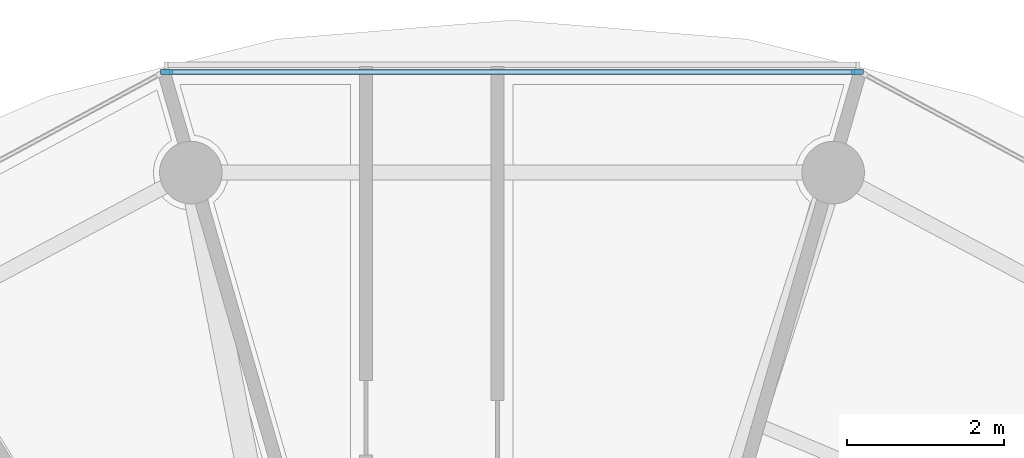
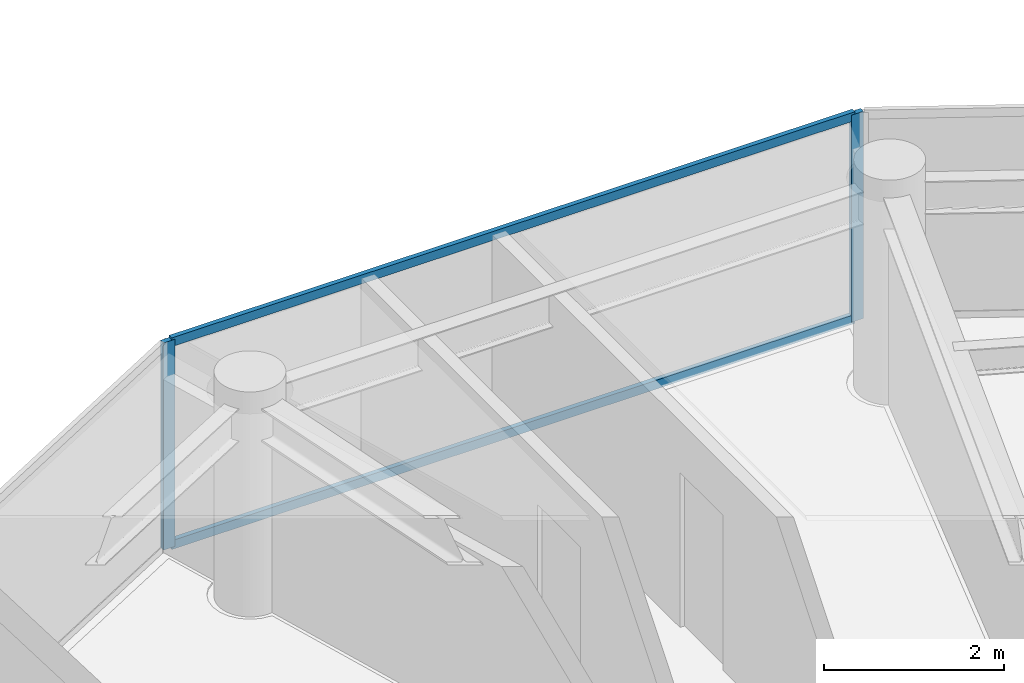
# One storey, part 9 of 25: 4 members, 1 element without a shape of its own.
"""IFC4 building model written with IfcOpenShell, lengths in metres."""

from ifc_helpers import new_model, si_unit, direction, frame, origin, origin_2d, place, context, subcontext, project, spatial, rectangle, extrude, source, transform, mapped, material, layer, layer_set, material_profile, profile_set, type_object, type_shapes, element, aggregate, save


model = new_model("IFC4")

# Units and contexts
model_context = context("Model", 3, precision=1e-05, world=origin(), true_north=direction((0.0, 1.0)))
body_context = subcontext(model_context, "Body", "Model", "MODEL_VIEW")
ifc_project = project(units=[si_unit("LENGTHUNIT", "METRE"), si_unit("AREAUNIT", "SQUARE_METRE"), si_unit("VOLUMEUNIT", "CUBIC_METRE"), si_unit("PLANEANGLEUNIT", "RADIAN"), si_unit("MASSUNIT", "GRAM", prefix="KILO")], contexts=[model_context])

# Site, building, storey
site_placement = place(None, origin())
site = spatial("IfcSite", under=ifc_project, at=site_placement, CompositionType="ELEMENT")
building_placement = place(site_placement, origin())
building = spatial("IfcBuilding", under=site, at=building_placement, Name="Norrkilde Senior Care Towers", CompositionType="ELEMENT")
storey_placement = place(building_placement, frame((0.0, 0.0, 161.75)))
storey = spatial("IfcBuildingStorey", under=building, at=storey_placement, Name="L50", CompositionType="ELEMENT", Elevation=161.75)

# Curtain wall, members
ifc_material_1 = material(Name="Triple Low-E Insulated Glazing", Category="glass")
ifc_layer = layer(ifc_material_1, 0.18994140625)
ifc_layer_set = layer_set([ifc_layer], Name="Triple Low-E Insulated Glazing")
curtain_wall_type = type_object("IfcCurtainWallType", Name="CW4 Zone 3 Senior Residence Curtain Wall", PredefinedType="NOTDEFINED", material=ifc_layer_set)
curtain_wall_placement = place(storey_placement, origin())
curtain_wall = element("IfcCurtainWall", 1, at=curtain_wall_placement, inside=storey, type_object=curtain_wall_type, Name="L50 Drum W Curtain Wall 02", PredefinedType="NOTDEFINED")
ifc_material_2 = material(Name="Anodised Aluminium", Category="aluminium")
ifc_material_profile_1 = material_profile(ifc_material_2, rectangle(XDim=0.06494140625, YDim=0.14990234375, at=origin_2d()), Name="ALU MULL 65x150")
ifc_profile_set_1 = profile_set([ifc_material_profile_1], Name="Anodised Aluminium")
member_type_1 = type_object("IfcMemberType", Name="Curtain Wall Mullion Z3-Z4 65x150", PredefinedType="MULLION", material=ifc_profile_set_1)
shared_shape_1 = source(origin(), body_context, "Body", "SweptSolid", [
    extrude(rectangle(XDim=0.06494140625, YDim=0.14990234375, at=origin_2d()), origin(), (0.0, 0.0, 1.0), 2.81005859375),
])
type_shapes(member_type_1, [shared_shape_1])
member_1_placement = place(storey_placement, frame((-31.388916015625, 17.2109375, 0.0), z_axis=(0.0, 0.0, 1.0), x_axis=(0.0, 1.0, 0.0)))
member_1 = element("IfcMember", 2, at=member_1_placement, type_object=member_type_1, Name="CW-4 mullion 1", PredefinedType="MULLION", context=body_context, shape_type="MappedRepresentation", body=[
    mapped(shared_shape_1, transform((0.0, 0.0, 0.0), x_axis=(1.0, 0.0, 0.0), y_axis=(0.0, 1.0, 0.0), z_axis=(0.0, 0.0, 1.0), scale=1.0)),
])
member_2_placement = place(storey_placement, frame((-22.56103515625, 17.2109375, 0.0), z_axis=(0.0, 0.0, 1.0), x_axis=(0.0, 1.0, 0.0)))
member_2 = element("IfcMember", 3, at=member_2_placement, type_object=member_type_1, Name="CW-4 mullion 2", PredefinedType="MULLION", context=body_context, shape_type="MappedRepresentation", body=[
    mapped(shared_shape_1, transform((0.0, 0.0, 0.0), x_axis=(1.0, 0.0, 0.0), y_axis=(0.0, 1.0, 0.0), z_axis=(0.0, 0.0, 1.0), scale=1.0)),
])
ifc_material_profile_2 = material_profile(ifc_material_2, rectangle(XDim=0.06005859375, YDim=0.1201171875, at=origin_2d()), Name="ALU TRAN 60x120")
ifc_profile_set_2 = profile_set([ifc_material_profile_2], Name="Anodised Aluminium")
member_type_2 = type_object("IfcMemberType", Name="Curtain Wall Transom Typical 60x120", PredefinedType="USERDEFINED", material=ifc_profile_set_2)
shared_shape_2 = source(origin(), body_context, "Body", "SweptSolid", [
    extrude(rectangle(XDim=0.06005859375, YDim=0.1201171875, at=origin_2d()), origin(), (0.0, 0.0, 1.0), 8.762939453125),
])
type_shapes(member_type_2, [shared_shape_2])
member_3_placement = place(storey_placement, frame((-31.3564453125, 17.2109375, 0.030029296875), z_axis=(1.0, 0.0, 0.0), x_axis=(0.0, 1.0, 0.0)))
member_3 = element("IfcMember", 4, at=member_3_placement, type_object=member_type_2, Name="CW-4 transom 1.1", ObjectType="TRANSOM", PredefinedType="USERDEFINED", context=body_context, shape_type="MappedRepresentation", body=[
    mapped(shared_shape_2, transform((0.0, 0.0, 0.0), x_axis=(1.0, 0.0, 0.0), y_axis=(0.0, 1.0, 0.0), z_axis=(0.0, 0.0, 1.0), scale=1.0)),
])
member_4_placement = place(storey_placement, frame((-31.3564453125, 17.2109375, 2.780029296875), z_axis=(1.0, 0.0, 0.0), x_axis=(0.0, 1.0, 0.0)))
member_4 = element("IfcMember", 5, at=member_4_placement, type_object=member_type_2, Name="CW-4 transom 1.2", ObjectType="TRANSOM", PredefinedType="USERDEFINED", context=body_context, shape_type="MappedRepresentation", body=[
    mapped(shared_shape_2, transform((0.0, 0.0, 0.0), x_axis=(1.0, 0.0, 0.0), y_axis=(0.0, 1.0, 0.0), z_axis=(0.0, 0.0, 1.0), scale=1.0)),
])
aggregate(curtain_wall, [member_1, member_2, member_3, member_4])

save(model, "model.ifc")
